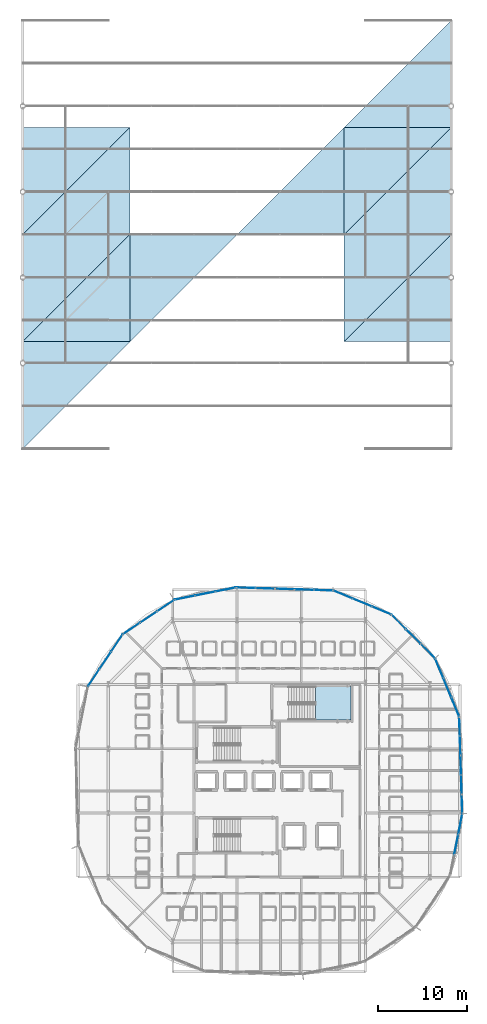
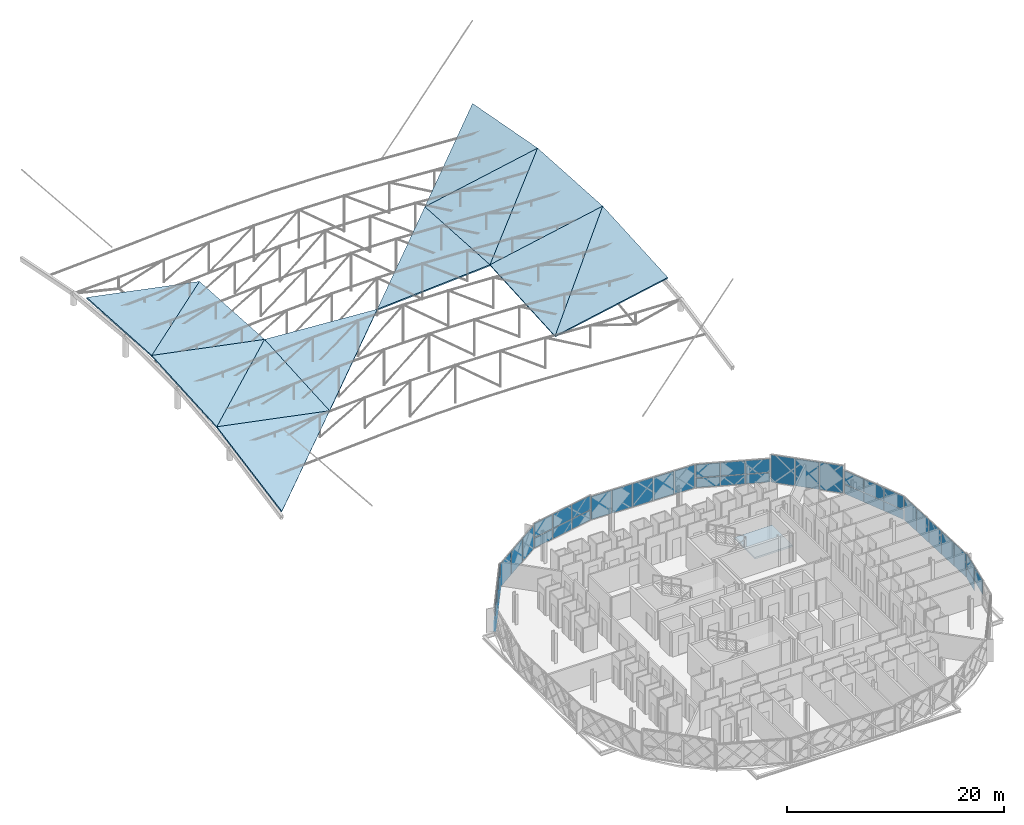
# One storey, part 36 of 50: 43 plates, 13 slabs, 10 elements without a shape of their own.
"""IFC4 building model written with IfcOpenShell, lengths in metres."""

from ifc_helpers import new_model, si_unit, direction, frame, origin, origin_2d, place, context, subcontext, project, spatial, polyline, rectangle, outline, extrude, material, layer, layer_set, type_object, element, aggregate, save


model = new_model("IFC4")

# Units and contexts
model_context = context("Model", 3, precision=1e-05, world=origin(), true_north=direction((0.0, 1.0)))
body_context = subcontext(model_context, "Body", "Model", "MODEL_VIEW")
ifc_project = project(units=[si_unit("LENGTHUNIT", "METRE"), si_unit("AREAUNIT", "SQUARE_METRE"), si_unit("VOLUMEUNIT", "CUBIC_METRE"), si_unit("PLANEANGLEUNIT", "RADIAN"), si_unit("MASSUNIT", "GRAM", prefix="KILO")], contexts=[model_context])

# Site, building, storey
site_placement = place(None, origin())
site = spatial("IfcSite", under=ifc_project, at=site_placement, CompositionType="ELEMENT")
building_placement = place(site_placement, origin())
building = spatial("IfcBuilding", under=site, at=building_placement, Name="Zevrakil Square Congress Hotel", CompositionType="ELEMENT")
storey_placement = place(building_placement, frame((0.0, 0.0, 21.5)))
storey = spatial("IfcBuildingStorey", under=building, at=storey_placement, Name="L06", CompositionType="ELEMENT", Elevation=21.5)

# Curtain wall, plate
ifc_material_1 = material(Name="Aluminium Anodised Bronze", Category="aluminium")
ifc_layer_1 = layer(ifc_material_1, 0.179931640625)
ifc_layer_set_1 = layer_set([ifc_layer_1], Name="Aluminium Anodised Bronze")
curtain_wall_type_1 = type_object("IfcCurtainWallType", Name="CW-L06-720", PredefinedType="USERDEFINED", material=ifc_layer_set_1)
curtain_wall_1_placement = place(storey_placement, origin())
curtain_wall_1 = element("IfcCurtainWall", 1, at=curtain_wall_1_placement, inside=storey, type_object=curtain_wall_type_1, Name="L06 diamond curtain wall CW-L06-0204", ObjectType="GLAZED CURTAIN WALL", PredefinedType="USERDEFINED")
ifc_material_2 = material(Name="Low-E Solar Control Double Glazing", Category="glass")
ifc_layer_2 = layer(ifc_material_2, 0.028076171875)
ifc_layer_set_2 = layer_set([ifc_layer_2], Name="Low-E Solar Control Double Glazing")
plate_type_1 = type_object("IfcPlateType", Name="CWP-GLAZ-28", PredefinedType="CURTAIN_PANEL", material=ifc_layer_set_2)
plate_1_placement = place(storey_placement, frame((166.62939453125, 22.735107421875, 1.23974609375), z_axis=(0.0, 0.0, 1.0), x_axis=(0.195083900459, 0.980786557708, 0.0)))
plate_1 = element("IfcPlate", 2, at=plate_1_placement, type_object=plate_type_1, Name="CW-70 panel 3.2", PredefinedType="CURTAIN_PANEL", context=body_context, shape_type="SweptSolid", body=[
    extrude(rectangle(XDim=2.2451171875, YDim=0.028076171875, at=origin_2d()), origin(), (0.0, 0.0, 1.0), 1.580322265625),
])

# Curtain wall, plates
ifc_material_3 = material(Name="Aluminium Anodised Bronze", Category="aluminium")
ifc_layer_3 = layer(ifc_material_3, 0.179931640625)
ifc_layer_set_3 = layer_set([ifc_layer_3], Name="Aluminium Anodised Bronze")
curtain_wall_type_2 = type_object("IfcCurtainWallType", Name="CW-L06-900", PredefinedType="USERDEFINED", material=ifc_layer_set_3)
curtain_wall_2_placement = place(storey_placement, origin())
curtain_wall_2 = element("IfcCurtainWall", 3, at=curtain_wall_2_placement, inside=storey, type_object=curtain_wall_type_2, Name="L06 diamond curtain wall CW-L06-0205", ObjectType="GLAZED CURTAIN WALL", PredefinedType="USERDEFINED")
plate_2_placement = place(storey_placement, frame((166.756591796875, 27.1689453125, 0.06005859375), z_axis=(0.0, 0.0, 1.0), x_axis=(-0.031598464383, 0.999500643846, 0.0)))
plate_2 = element("IfcPlate", 4, at=plate_2_placement, type_object=plate_type_1, Name="CW-72 panel 2.1", PredefinedType="CURTAIN_PANEL", context=body_context, shape_type="SweptSolid", body=[
    extrude(rectangle(XDim=2.12353515625, YDim=0.028076171875, at=origin_2d()), origin(), (0.0, 0.0, 1.0), 2.610107421875),
])
plate_3_placement = place(storey_placement, frame((166.550048828125, 33.701416015625, 0.06005859375), z_axis=(0.0, 0.0, 1.0), x_axis=(-0.031598464383, 0.999500643846, 0.0)))
plate_3 = element("IfcPlate", 5, at=plate_3_placement, type_object=plate_type_1, Name="CW-72 panel 5.1", PredefinedType="CURTAIN_PANEL", context=body_context, shape_type="SweptSolid", body=[
    extrude(rectangle(XDim=2.09375, YDim=0.028076171875, at=origin_2d()), origin(), (0.0, 0.0, 1.0), 2.610107421875),
])

curtain_wall_3_placement = place(storey_placement, origin())
curtain_wall_3 = element("IfcCurtainWall", 6, at=curtain_wall_3_placement, inside=storey, type_object=curtain_wall_type_1, Name="L06 diamond curtain wall CW-L06-0206", ObjectType="GLAZED CURTAIN WALL", PredefinedType="USERDEFINED")
plate_4_placement = place(storey_placement, frame((166.0625, 35.900390625, 0.06005859375), z_axis=(0.0, 0.0, 1.0), x_axis=(-0.382683763454, 0.92387939537, 0.0)))
plate_4 = element("IfcPlate", 7, at=plate_4_placement, type_object=plate_type_1, Name="CW-70 panel 1.1", PredefinedType="CURTAIN_PANEL", context=body_context, shape_type="SweptSolid", body=[
    extrude(rectangle(XDim=2.245361328125, YDim=0.028076171875, at=origin_2d()), origin(), (0.0, 0.0, 1.0), 1.056640625),
])
plate_5_placement = place(storey_placement, frame((165.174560546875, 38.0439453125, 1.1767578125), z_axis=(0.0, 0.0, 1.0), x_axis=(-0.382683763454, 0.92387939537, 0.0)))
plate_5 = element("IfcPlate", 8, at=plate_5_placement, type_object=plate_type_1, Name="CW-70 panel 2.2", PredefinedType="CURTAIN_PANEL", context=body_context, shape_type="SweptSolid", body=[
    extrude(rectangle(XDim=2.275146484375, YDim=0.028076171875, at=origin_2d()), origin(), (0.0, 0.0, 1.0), 1.493408203125),
])
plate_6_placement = place(storey_placement, frame((164.28662109375, 40.187744140625, 1.1767578125), z_axis=(0.0, 0.0, 1.0), x_axis=(-0.382683763454, 0.92387939537, 0.0)))
plate_6 = element("IfcPlate", 9, at=plate_6_placement, type_object=plate_type_1, Name="CW-70 panel 3.2", PredefinedType="CURTAIN_PANEL", context=body_context, shape_type="SweptSolid", body=[
    extrude(rectangle(XDim=2.245361328125, YDim=0.028076171875, at=origin_2d()), origin(), (0.0, 0.0, 1.0), 1.493408203125),
])

# Curtain wall, plate
curtain_wall_4_placement = place(storey_placement, origin())
curtain_wall_4 = element("IfcCurtainWall", 10, at=curtain_wall_4_placement, inside=storey, type_object=curtain_wall_type_1, Name="L06 diamond curtain wall CW-L06-0207", ObjectType="GLAZED CURTAIN WALL", PredefinedType="USERDEFINED")
plate_7_placement = place(storey_placement, frame((159.716552734375, 45.397705078125, 0.06005859375), z_axis=(0.0, 0.0, 1.0), x_axis=(-0.707106781187, 0.707106781187, 0.0)))
plate_7 = element("IfcPlate", 11, at=plate_7_placement, type_object=plate_type_1, Name="CW-70 panel 3.1", PredefinedType="CURTAIN_PANEL", context=body_context, shape_type="SweptSolid", body=[
    extrude(rectangle(XDim=2.2451171875, YDim=0.028076171875, at=origin_2d()), origin(), (0.0, 0.0, 1.0), 3.074951171875),
])

# Curtain wall, plates
curtain_wall_5_placement = place(storey_placement, origin())
curtain_wall_5 = element("IfcCurtainWall", 12, at=curtain_wall_5_placement, inside=storey, type_object=curtain_wall_type_1, Name="L06 diamond curtain wall CW-L06-0208", ObjectType="GLAZED CURTAIN WALL", PredefinedType="USERDEFINED")
plate_8_placement = place(storey_placement, frame((157.78759765625, 46.6865234375, 1.1767578125), z_axis=(0.0, 0.0, 1.0), x_axis=(-0.92387939537, 0.382683763454, 0.0)))
plate_8 = element("IfcPlate", 13, at=plate_8_placement, type_object=plate_type_1, Name="CW-70 panel 1.2", PredefinedType="CURTAIN_PANEL", context=body_context, shape_type="SweptSolid", body=[
    extrude(rectangle(XDim=2.245361328125, YDim=0.028076171875, at=origin_2d()), origin(), (0.0, 0.0, 1.0), 1.493408203125),
])
plate_9_placement = place(storey_placement, frame((155.64404296875, 47.574462890625, 1.1767578125), z_axis=(0.0, 0.0, 1.0), x_axis=(-0.92387939537, 0.382683763454, 0.0)))
plate_9 = element("IfcPlate", 14, at=plate_9_placement, type_object=plate_type_1, Name="CW-70 panel 2.2", PredefinedType="CURTAIN_PANEL", context=body_context, shape_type="SweptSolid", body=[
    extrude(rectangle(XDim=2.275146484375, YDim=0.028076171875, at=origin_2d()), origin(), (0.0, 0.0, 1.0), 1.493408203125),
])

curtain_wall_6_placement = place(storey_placement, origin())
curtain_wall_6 = element("IfcCurtainWall", 15, at=curtain_wall_6_placement, inside=storey, type_object=curtain_wall_type_2, Name="L06 diamond curtain wall CW-L06-0209", ObjectType="GLAZED CURTAIN WALL", PredefinedType="USERDEFINED")
plate_10_placement = place(storey_placement, frame((151.301513671875, 48.949951171875, 0.06005859375), z_axis=(0.0, 0.0, 1.0), x_axis=(-0.999500643846, 0.031598464383, 0.0)))
plate_10 = element("IfcPlate", 16, at=plate_10_placement, type_object=plate_type_1, Name="CW-72 panel 1.1", PredefinedType="CURTAIN_PANEL", context=body_context, shape_type="SweptSolid", body=[
    extrude(rectangle(XDim=2.09375, YDim=0.028076171875, at=origin_2d()), origin(), (0.0, 0.0, 1.0), 2.610107421875),
])
plate_11_placement = place(storey_placement, frame((146.951416015625, 49.08740234375, 0.06005859375), z_axis=(0.0, 0.0, 1.0), x_axis=(-0.999500643846, 0.031598464383, 0.0)))
plate_11 = element("IfcPlate", 17, at=plate_11_placement, type_object=plate_type_1, Name="CW-72 panel 3.1", PredefinedType="CURTAIN_PANEL", context=body_context, shape_type="SweptSolid", body=[
    extrude(rectangle(XDim=2.12353515625, YDim=0.028076171875, at=origin_2d()), origin(), (0.0, 0.0, 1.0), 2.610107421875),
])

curtain_wall_7_placement = place(storey_placement, origin())
curtain_wall_7 = element("IfcCurtainWall", 18, at=curtain_wall_7_placement, inside=storey, type_object=curtain_wall_type_1, Name="L06 diamond curtain wall CW-L06-0210", ObjectType="GLAZED CURTAIN WALL", PredefinedType="USERDEFINED")
plate_12_placement = place(storey_placement, frame((140.335205078125, 49.029296875, 1.23974609375), z_axis=(0.0, 0.0, 1.0), x_axis=(-0.980786557708, -0.195083900459, 0.0)))
plate_12 = element("IfcPlate", 19, at=plate_12_placement, type_object=plate_type_1, Name="CW-70 panel 1.2", PredefinedType="CURTAIN_PANEL", context=body_context, shape_type="SweptSolid", body=[
    extrude(rectangle(XDim=2.2451171875, YDim=0.028076171875, at=origin_2d()), origin(), (0.0, 0.0, 1.0), 1.580322265625),
])
plate_13_placement = place(storey_placement, frame((135.78369140625, 48.1240234375, 0.06005859375), z_axis=(0.0, 0.0, 1.0), x_axis=(-0.980786557708, -0.195083900459, 0.0)))
plate_13 = element("IfcPlate", 20, at=plate_13_placement, type_object=plate_type_1, Name="CW-70 panel 3.1", PredefinedType="CURTAIN_PANEL", context=body_context, shape_type="SweptSolid", body=[
    extrude(rectangle(XDim=2.2451171875, YDim=0.028076171875, at=origin_2d()), origin(), (0.0, 0.0, 1.0), 1.11962890625),
])

# Curtain wall, plate
curtain_wall_8_placement = place(storey_placement, origin())
curtain_wall_8 = element("IfcCurtainWall", 21, at=curtain_wall_8_placement, inside=storey, type_object=curtain_wall_type_1, Name="L06 diamond curtain wall CW-L06-0211", ObjectType="GLAZED CURTAIN WALL", PredefinedType="USERDEFINED")
plate_14_placement = place(storey_placement, frame((133.640625, 47.236328125, 0.06005859375), z_axis=(0.0, 0.0, 1.0), x_axis=(-0.831465693332, -0.555576098128, 0.0)))
plate_14 = element("IfcPlate", 22, at=plate_14_placement, type_object=plate_type_1, Name="CW-70 panel 1.1", PredefinedType="CURTAIN_PANEL", context=body_context, shape_type="SweptSolid", body=[
    extrude(rectangle(XDim=2.2451171875, YDim=0.028076171875, at=origin_2d()), origin(), (0.0, 0.0, 1.0), 2.610107421875),
])

# Curtain wall, plates
curtain_wall_9_placement = place(storey_placement, origin())
curtain_wall_9 = element("IfcCurtainWall", 23, at=curtain_wall_9_placement, inside=storey, type_object=curtain_wall_type_1, Name="L06 diamond curtain wall CW-L06-0212", ObjectType="GLAZED CURTAIN WALL", PredefinedType="USERDEFINED")
plate_15_placement = place(storey_placement, frame((126.852783203125, 41.088623046875, 0.06005859375), z_axis=(0.0, 0.0, 1.0), x_axis=(-0.555576098128, -0.831465693332, 0.0)))
plate_15 = element("IfcPlate", 24, at=plate_15_placement, type_object=plate_type_1, Name="CW-70 panel 2.1", PredefinedType="CURTAIN_PANEL", context=body_context, shape_type="SweptSolid", body=[
    extrude(rectangle(XDim=2.275146484375, YDim=0.028076171875, at=origin_2d()), origin(), (0.0, 0.0, 1.0), 1.056640625),
])
plate_16_placement = place(storey_placement, frame((125.563720703125, 39.159423828125, 0.06005859375), z_axis=(0.0, 0.0, 1.0), x_axis=(-0.555576098128, -0.831465693332, 0.0)))
plate_16 = element("IfcPlate", 25, at=plate_16_placement, type_object=plate_type_1, Name="CW-70 panel 3.1", PredefinedType="CURTAIN_PANEL", context=body_context, shape_type="SweptSolid", body=[
    extrude(rectangle(XDim=2.2451171875, YDim=0.028076171875, at=origin_2d()), origin(), (0.0, 0.0, 1.0), 1.056640625),
])

# Plate
ifc_material_4 = material(Name="Basalt Grey Ribbed GRC Panel", Category="masonry")
ifc_layer_4 = layer(ifc_material_4, 0.0439453125)
ifc_layer_set_4 = layer_set([ifc_layer_4], Name="Basalt Grey Ribbed GRC Panel")
plate_type_2 = type_object("IfcPlateType", Name="CWP-GRCG-44", PredefinedType="CURTAIN_PANEL", material=ifc_layer_set_4)
plate_17_placement = place(storey_placement, frame((166.62939453125, 22.735107421875, 0.06005859375), z_axis=(0.0, 0.0, 1.0), x_axis=(0.195083900459, 0.980786557708, 0.0)))
plate_17 = element("IfcPlate", 26, at=plate_17_placement, type_object=plate_type_2, Name="CW-70 panel 3.1", PredefinedType="CURTAIN_PANEL", context=body_context, shape_type="SweptSolid", body=[
    extrude(rectangle(XDim=2.2451171875, YDim=0.028076171875, at=origin_2d()), origin(), (0.0, 0.0, 1.0), 1.11962890625),
])

plate_18_placement = place(storey_placement, frame((166.618408203125, 31.533935546875, 0.06005859375), z_axis=(0.0, 0.0, 1.0), x_axis=(-0.031598464383, 0.999500643846, 0.0)))
plate_18 = element("IfcPlate", 27, at=plate_18_placement, type_object=plate_type_2, Name="CW-72 panel 4.1", PredefinedType="CURTAIN_PANEL", context=body_context, shape_type="SweptSolid", body=[
    extrude(rectangle(XDim=2.12353515625, YDim=0.028076171875, at=origin_2d()), origin(), (0.0, 0.0, 1.0), 2.610107421875),
])

plate_19_placement = place(storey_placement, frame((165.174560546875, 38.0439453125, 0.06005859375), z_axis=(0.0, 0.0, 1.0), x_axis=(-0.382683763454, 0.92387939537, 0.0)))
plate_19 = element("IfcPlate", 28, at=plate_19_placement, type_object=plate_type_2, Name="CW-70 panel 2.1", PredefinedType="CURTAIN_PANEL", context=body_context, shape_type="SweptSolid", body=[
    extrude(rectangle(XDim=2.275146484375, YDim=0.028076171875, at=origin_2d()), origin(), (0.0, 0.0, 1.0), 1.056640625),
])

plate_20_placement = place(storey_placement, frame((161.357177734375, 43.757080078125, 0.06005859375), z_axis=(0.0, 0.0, 1.0), x_axis=(-0.707106781187, 0.707106781187, 0.0)))
plate_20 = element("IfcPlate", 29, at=plate_20_placement, type_object=plate_type_2, Name="CW-70 panel 2.1", PredefinedType="CURTAIN_PANEL", context=body_context, shape_type="SweptSolid", body=[
    extrude(rectangle(XDim=2.275146484375, YDim=0.028076171875, at=origin_2d()), origin(), (0.0, 0.0, 1.0), 3.074951171875),
])

plate_21_placement = place(storey_placement, frame((157.78759765625, 46.6865234375, 0.06005859375), z_axis=(0.0, 0.0, 1.0), x_axis=(-0.92387939537, 0.382683763454, 0.0)))
plate_21 = element("IfcPlate", 30, at=plate_21_placement, type_object=plate_type_2, Name="CW-70 panel 1.1", PredefinedType="CURTAIN_PANEL", context=body_context, shape_type="SweptSolid", body=[
    extrude(rectangle(XDim=2.245361328125, YDim=0.028076171875, at=origin_2d()), origin(), (0.0, 0.0, 1.0), 1.056640625),
])

plate_22_placement = place(storey_placement, frame((153.50048828125, 48.46240234375, 1.1767578125), z_axis=(0.0, 0.0, 1.0), x_axis=(-0.92387939537, 0.382683763454, 0.0)))
plate_22 = element("IfcPlate", 31, at=plate_22_placement, type_object=plate_type_2, Name="CW-70 panel 3.2", PredefinedType="CURTAIN_PANEL", context=body_context, shape_type="SweptSolid", body=[
    extrude(rectangle(XDim=2.245361328125, YDim=0.028076171875, at=origin_2d()), origin(), (0.0, 0.0, 1.0), 1.493408203125),
])

plate_23_placement = place(storey_placement, frame((142.601318359375, 49.22509765625, 0.06005859375), z_axis=(0.0, 0.0, 1.0), x_axis=(-0.999500643846, 0.031598464383, 0.0)))
plate_23 = element("IfcPlate", 32, at=plate_23_placement, type_object=plate_type_2, Name="CW-72 panel 5.1", PredefinedType="CURTAIN_PANEL", context=body_context, shape_type="SweptSolid", body=[
    extrude(rectangle(XDim=2.09375, YDim=0.028076171875, at=origin_2d()), origin(), (0.0, 0.0, 1.0), 2.610107421875),
])

plate_24_placement = place(storey_placement, frame((138.0595703125, 48.57666015625, 1.23974609375), z_axis=(0.0, 0.0, 1.0), x_axis=(-0.980786557708, -0.195083900459, 0.0)))
plate_24 = element("IfcPlate", 33, at=plate_24_placement, type_object=plate_type_2, Name="CW-70 panel 2.2", PredefinedType="CURTAIN_PANEL", context=body_context, shape_type="SweptSolid", body=[
    extrude(rectangle(XDim=2.275146484375, YDim=0.028076171875, at=origin_2d()), origin(), (0.0, 0.0, 1.0), 1.580322265625),
])

plate_25_placement = place(storey_placement, frame((129.7822265625, 44.658203125, 0.06005859375), z_axis=(0.0, 0.0, 1.0), x_axis=(-0.831465693332, -0.555576098128, 0.0)))
plate_25 = element("IfcPlate", 34, at=plate_25_placement, type_object=plate_type_2, Name="CW-70 panel 3.1", PredefinedType="CURTAIN_PANEL", context=body_context, shape_type="SweptSolid", body=[
    extrude(rectangle(XDim=2.2451171875, YDim=0.028076171875, at=origin_2d()), origin(), (0.0, 0.0, 1.0), 2.610107421875),
])

plate_26_placement = place(storey_placement, frame((128.141845703125, 43.017822265625, 1.1767578125), z_axis=(0.0, 0.0, 1.0), x_axis=(-0.555576098128, -0.831465693332, 0.0)))
plate_26 = element("IfcPlate", 35, at=plate_26_placement, type_object=plate_type_2, Name="CW-70 panel 1.2", PredefinedType="CURTAIN_PANEL", context=body_context, shape_type="SweptSolid", body=[
    extrude(rectangle(XDim=2.2451171875, YDim=0.028076171875, at=origin_2d()), origin(), (0.0, 0.0, 1.0), 1.493408203125),
])

ifc_material_5 = material(Name="White Ribbed Highland GRC Panel", Category="concrete")
ifc_layer_5 = layer(ifc_material_5, 0.0400390625)
ifc_layer_set_5 = layer_set([ifc_layer_5], Name="White Ribbed Highland GRC Panel")
plate_type_3 = type_object("IfcPlateType", Name="CWP-GRCW-40", PredefinedType="CURTAIN_PANEL", material=ifc_layer_set_5)
plate_27_placement = place(storey_placement, frame((166.1767578125, 20.45947265625, 1.23974609375), z_axis=(0.0, 0.0, 1.0), x_axis=(0.195083900459, 0.980786557708, 0.0)))
plate_27 = element("IfcPlate", 36, at=plate_27_placement, type_object=plate_type_3, Name="CW-70 panel 2.2", PredefinedType="CURTAIN_PANEL", context=body_context, shape_type="SweptSolid", body=[
    extrude(rectangle(XDim=2.275146484375, YDim=0.028076171875, at=origin_2d()), origin(), (0.0, 0.0, 1.0), 1.580322265625),
])

aggregate(curtain_wall_1, [plate_27, plate_17, plate_1])

plate_28_placement = place(storey_placement, frame((166.824951171875, 25.001220703125, 0.06005859375), z_axis=(0.0, 0.0, 1.0), x_axis=(-0.031598464383, 0.999500643846, 0.0)))
plate_28 = element("IfcPlate", 37, at=plate_28_placement, type_object=plate_type_3, Name="CW-72 panel 1.1", PredefinedType="CURTAIN_PANEL", context=body_context, shape_type="SweptSolid", body=[
    extrude(rectangle(XDim=2.09375, YDim=0.028076171875, at=origin_2d()), origin(), (0.0, 0.0, 1.0), 2.610107421875),
])

plate_29_placement = place(storey_placement, frame((166.6875, 29.351318359375, 0.06005859375), z_axis=(0.0, 0.0, 1.0), x_axis=(-0.031598464383, 0.999500643846, 0.0)))
plate_29 = element("IfcPlate", 38, at=plate_29_placement, type_object=plate_type_3, Name="CW-72 panel 3.1", PredefinedType="CURTAIN_PANEL", context=body_context, shape_type="SweptSolid", body=[
    extrude(rectangle(XDim=2.12353515625, YDim=0.028076171875, at=origin_2d()), origin(), (0.0, 0.0, 1.0), 2.610107421875),
])

aggregate(curtain_wall_2, [plate_28, plate_2, plate_29, plate_18, plate_3])

plate_30_placement = place(storey_placement, frame((166.0625, 35.900390625, 1.1767578125), z_axis=(0.0, 0.0, 1.0), x_axis=(-0.382683763454, 0.92387939537, 0.0)))
plate_30 = element("IfcPlate", 39, at=plate_30_placement, type_object=plate_type_3, Name="CW-70 panel 1.2", PredefinedType="CURTAIN_PANEL", context=body_context, shape_type="SweptSolid", body=[
    extrude(rectangle(XDim=2.245361328125, YDim=0.028076171875, at=origin_2d()), origin(), (0.0, 0.0, 1.0), 1.493408203125),
])

plate_31_placement = place(storey_placement, frame((164.28662109375, 40.187744140625, 0.06005859375), z_axis=(0.0, 0.0, 1.0), x_axis=(-0.382683763454, 0.92387939537, 0.0)))
plate_31 = element("IfcPlate", 40, at=plate_31_placement, type_object=plate_type_3, Name="CW-70 panel 3.1", PredefinedType="CURTAIN_PANEL", context=body_context, shape_type="SweptSolid", body=[
    extrude(rectangle(XDim=2.245361328125, YDim=0.028076171875, at=origin_2d()), origin(), (0.0, 0.0, 1.0), 1.056640625),
])

aggregate(curtain_wall_3, [plate_4, plate_30, plate_19, plate_5, plate_31, plate_6])

plate_32_placement = place(storey_placement, frame((162.997802734375, 42.116455078125, 0.06005859375), z_axis=(0.0, 0.0, 1.0), x_axis=(-0.707106781187, 0.707106781187, 0.0)))
plate_32 = element("IfcPlate", 41, at=plate_32_placement, type_object=plate_type_3, Name="CW-70 panel 1.1", PredefinedType="CURTAIN_PANEL", context=body_context, shape_type="SweptSolid", body=[
    extrude(rectangle(XDim=2.2451171875, YDim=0.028076171875, at=origin_2d()), origin(), (0.0, 0.0, 1.0), 3.074951171875),
])

aggregate(curtain_wall_4, [plate_32, plate_20, plate_7])

plate_33_placement = place(storey_placement, frame((155.64404296875, 47.574462890625, 0.06005859375), z_axis=(0.0, 0.0, 1.0), x_axis=(-0.92387939537, 0.382683763454, 0.0)))
plate_33 = element("IfcPlate", 42, at=plate_33_placement, type_object=plate_type_3, Name="CW-70 panel 2.1", PredefinedType="CURTAIN_PANEL", context=body_context, shape_type="SweptSolid", body=[
    extrude(rectangle(XDim=2.275146484375, YDim=0.028076171875, at=origin_2d()), origin(), (0.0, 0.0, 1.0), 1.056640625),
])

plate_34_placement = place(storey_placement, frame((153.50048828125, 48.46240234375, 0.06005859375), z_axis=(0.0, 0.0, 1.0), x_axis=(-0.92387939537, 0.382683763454, 0.0)))
plate_34 = element("IfcPlate", 43, at=plate_34_placement, type_object=plate_type_3, Name="CW-70 panel 3.1", PredefinedType="CURTAIN_PANEL", context=body_context, shape_type="SweptSolid", body=[
    extrude(rectangle(XDim=2.245361328125, YDim=0.028076171875, at=origin_2d()), origin(), (0.0, 0.0, 1.0), 1.056640625),
])

aggregate(curtain_wall_5, [plate_21, plate_8, plate_33, plate_9, plate_34, plate_22])

plate_35_placement = place(storey_placement, frame((149.134033203125, 49.0185546875, 0.06005859375), z_axis=(0.0, 0.0, 1.0), x_axis=(-0.999500643846, 0.031598464383, 0.0)))
plate_35 = element("IfcPlate", 44, at=plate_35_placement, type_object=plate_type_3, Name="CW-72 panel 2.1", PredefinedType="CURTAIN_PANEL", context=body_context, shape_type="SweptSolid", body=[
    extrude(rectangle(XDim=2.12353515625, YDim=0.028076171875, at=origin_2d()), origin(), (0.0, 0.0, 1.0), 2.610107421875),
])

plate_36_placement = place(storey_placement, frame((144.768798828125, 49.156494140625, 0.06005859375), z_axis=(0.0, 0.0, 1.0), x_axis=(-0.999500643846, 0.031598464383, 0.0)))
plate_36 = element("IfcPlate", 45, at=plate_36_placement, type_object=plate_type_3, Name="CW-72 panel 4.1", PredefinedType="CURTAIN_PANEL", context=body_context, shape_type="SweptSolid", body=[
    extrude(rectangle(XDim=2.12353515625, YDim=0.028076171875, at=origin_2d()), origin(), (0.0, 0.0, 1.0), 2.610107421875),
])

aggregate(curtain_wall_6, [plate_10, plate_35, plate_11, plate_36, plate_23])

plate_37_placement = place(storey_placement, frame((140.335205078125, 49.029296875, 0.06005859375), z_axis=(0.0, 0.0, 1.0), x_axis=(-0.980786557708, -0.195083900459, 0.0)))
plate_37 = element("IfcPlate", 46, at=plate_37_placement, type_object=plate_type_3, Name="CW-70 panel 1.1", PredefinedType="CURTAIN_PANEL", context=body_context, shape_type="SweptSolid", body=[
    extrude(rectangle(XDim=2.2451171875, YDim=0.028076171875, at=origin_2d()), origin(), (0.0, 0.0, 1.0), 1.11962890625),
])

plate_38_placement = place(storey_placement, frame((138.0595703125, 48.57666015625, 0.06005859375), z_axis=(0.0, 0.0, 1.0), x_axis=(-0.980786557708, -0.195083900459, 0.0)))
plate_38 = element("IfcPlate", 47, at=plate_38_placement, type_object=plate_type_3, Name="CW-70 panel 2.1", PredefinedType="CURTAIN_PANEL", context=body_context, shape_type="SweptSolid", body=[
    extrude(rectangle(XDim=2.275146484375, YDim=0.028076171875, at=origin_2d()), origin(), (0.0, 0.0, 1.0), 1.11962890625),
])

plate_39_placement = place(storey_placement, frame((135.78369140625, 48.1240234375, 1.23974609375), z_axis=(0.0, 0.0, 1.0), x_axis=(-0.980786557708, -0.195083900459, 0.0)))
plate_39 = element("IfcPlate", 48, at=plate_39_placement, type_object=plate_type_3, Name="CW-70 panel 3.2", PredefinedType="CURTAIN_PANEL", context=body_context, shape_type="SweptSolid", body=[
    extrude(rectangle(XDim=2.2451171875, YDim=0.028076171875, at=origin_2d()), origin(), (0.0, 0.0, 1.0), 1.580322265625),
])

aggregate(curtain_wall_7, [plate_37, plate_12, plate_38, plate_24, plate_13, plate_39])

plate_40_placement = place(storey_placement, frame((131.71142578125, 45.947265625, 0.06005859375), z_axis=(0.0, 0.0, 1.0), x_axis=(-0.831465693332, -0.555576098128, 0.0)))
plate_40 = element("IfcPlate", 49, at=plate_40_placement, type_object=plate_type_3, Name="CW-70 panel 2.1", PredefinedType="CURTAIN_PANEL", context=body_context, shape_type="SweptSolid", body=[
    extrude(rectangle(XDim=2.275146484375, YDim=0.028076171875, at=origin_2d()), origin(), (0.0, 0.0, 1.0), 2.610107421875),
])

aggregate(curtain_wall_8, [plate_14, plate_40, plate_25])

plate_41_placement = place(storey_placement, frame((128.141845703125, 43.017822265625, 0.06005859375), z_axis=(0.0, 0.0, 1.0), x_axis=(-0.555576098128, -0.831465693332, 0.0)))
plate_41 = element("IfcPlate", 50, at=plate_41_placement, type_object=plate_type_3, Name="CW-70 panel 1.1", PredefinedType="CURTAIN_PANEL", context=body_context, shape_type="SweptSolid", body=[
    extrude(rectangle(XDim=2.2451171875, YDim=0.028076171875, at=origin_2d()), origin(), (0.0, 0.0, 1.0), 1.056640625),
])

plate_42_placement = place(storey_placement, frame((126.852783203125, 41.088623046875, 1.1767578125), z_axis=(0.0, 0.0, 1.0), x_axis=(-0.555576098128, -0.831465693332, 0.0)))
plate_42 = element("IfcPlate", 51, at=plate_42_placement, type_object=plate_type_3, Name="CW-70 panel 2.2", PredefinedType="CURTAIN_PANEL", context=body_context, shape_type="SweptSolid", body=[
    extrude(rectangle(XDim=2.275146484375, YDim=0.028076171875, at=origin_2d()), origin(), (0.0, 0.0, 1.0), 1.493408203125),
])

plate_43_placement = place(storey_placement, frame((125.563720703125, 39.159423828125, 1.1767578125), z_axis=(0.0, 0.0, 1.0), x_axis=(-0.555576098128, -0.831465693332, 0.0)))
plate_43 = element("IfcPlate", 52, at=plate_43_placement, type_object=plate_type_3, Name="CW-70 panel 3.2", PredefinedType="CURTAIN_PANEL", context=body_context, shape_type="SweptSolid", body=[
    extrude(rectangle(XDim=2.2451171875, YDim=0.028076171875, at=origin_2d()), origin(), (0.0, 0.0, 1.0), 1.493408203125),
])

aggregate(curtain_wall_9, [plate_41, plate_26, plate_15, plate_42, plate_16, plate_43])

# Slabs
ifc_material_6 = material(Name="Concrete C35/45", Category="concrete")
ifc_layer_6 = layer(ifc_material_6, 0.139892578125)
ifc_layer_set_6 = layer_set([ifc_layer_6], Name="Concrete C35/45")
slab_type_1 = type_object("IfcSlabType", Name="SLB-SADDLE-140", PredefinedType="ROOF", material=ifc_layer_set_6)
slab_1_placement = place(storey_placement, frame((117.60009765625, 64.800048828125, -0.06005859375), z_axis=(0.192875555251, -0.180828190965, 0.964417018483), x_axis=(0.707079197396, 0.707079197396, -0.008832735742)))
element("IfcSlab", 53, at=slab_1_placement, inside=storey, type_object=slab_type_1, Name="Congress hall anticlastic saddle roof facet 02", PredefinedType="ROOF", context=body_context, shape_type="SweptSolid", body=[
    extrude(outline(polyline([(0.0, 0.0), (16.9712247852847, 9.71445146547012e-17), (8.465076713327646, 8.798009788439543), (0.0, 0.0)])), origin(), (0.0, 0.0, -1.0), 0.139892578125),
])
slab_2_placement = place(storey_placement, frame((117.60009765625, 76.800048828125, 2.18994140625), z_axis=(0.195741202522, -0.061171614868, 0.978745837881), x_axis=(0.980582210276, 0.0, -0.196108462057)))
element("IfcSlab", 54, at=slab_2_placement, inside=storey, type_object=slab_type_1, Name="Congress hall anticlastic saddle roof facet 03", PredefinedType="ROOF", context=body_context, shape_type="SweptSolid", body=[
    extrude(outline(polyline([(0.0, 0.0), (12.237627681031023, 0.0), (12.090546334488467, 12.022515006332876), (0.0, 0.0)])), origin(), (0.0, 0.0, -1.0), 0.139892578125),
])
slab_3_placement = place(storey_placement, frame((117.60009765625, 76.800048828125, 2.18994140625), z_axis=(0.195741202522, -0.061171614868, 0.978745837881), x_axis=(0.703788497286, 0.703788497286, -0.096765190931)))
element("IfcSlab", 55, at=slab_3_placement, inside=storey, type_object=slab_type_1, Name="Congress hall anticlastic saddle roof facet 04", PredefinedType="ROOF", context=body_context, shape_type="SweptSolid", body=[
    extrude(outline(polyline([(0.0, 0.0), (17.05057705017375, 1.1102230246251565e-15), (8.372888074232815, 8.628861181892425), (0.0, 0.0)])), origin(), (0.0, 0.0, -1.0), 0.139892578125),
])
slab_4_placement = place(storey_placement, frame((117.60009765625, 88.800048828125, 2.93994140625), z_axis=(0.195741202522, 0.061171614868, 0.978745837881), x_axis=(0.980582210276, 0.0, -0.196108462057)))
element("IfcSlab", 56, at=slab_4_placement, inside=storey, type_object=slab_type_1, Name="Congress hall anticlastic saddle roof facet 05", PredefinedType="ROOF", context=body_context, shape_type="SweptSolid", body=[
    extrude(outline(polyline([(0.0, 0.0), (12.237627681031023, 0.0), (12.384709027573578, 12.022515006332878), (0.0, 0.0)])), origin(), (0.0, 0.0, -1.0), 0.139892578125),
])
slab_5_placement = place(storey_placement, frame((117.60009765625, 88.800048828125, 2.93994140625), z_axis=(0.195741202522, 0.061171614868, 0.978745837881), x_axis=(0.695232462817, 0.695232462817, -0.182492863673)))
element("IfcSlab", 57, at=slab_5_placement, inside=storey, type_object=slab_type_1, Name="Congress hall anticlastic saddle roof facet 06", PredefinedType="ROOF", context=body_context, shape_type="SweptSolid", body=[
    extrude(outline(polyline([(0.0, 0.0), (17.26041380660272, 1.1102230246251565e-16), (8.479659201555394, 8.523959163761694), (0.0, 0.0)])), origin(), (0.0, 0.0, -1.0), 0.139892578125),
])
slab_6_placement = place(storey_placement, frame((129.60009765625, 76.800048828125, -0.2099609375), z_axis=(0.066394075758, -0.062240647156, 0.995850354494), x_axis=(0.70710370617, 0.70710370617, -0.002949142655)))
element("IfcSlab", 58, at=slab_6_placement, inside=storey, type_object=slab_type_1, Name="Congress hall anticlastic saddle roof facet 12", PredefinedType="ROOF", context=body_context, shape_type="SweptSolid", body=[
    extrude(outline(polyline([(0.0, 0.0), (16.970636549204535, 9.003214840319629e-16), (8.483032617044307, 8.520601951632436), (0.0, 0.0)])), origin(), (0.0, 0.0, -1.0), 0.139892578125),
])
slab_7_placement = place(storey_placement, frame((141.60009765625, 88.800048828125, -0.260009765625), z_axis=(-0.066394075758, 0.062240647156, 0.995850354494), x_axis=(0.99778488838, 0.0, 0.066523052556)))
element("IfcSlab", 59, at=slab_7_placement, inside=storey, type_object=slab_type_1, Name="Congress hall anticlastic saddle roof facet 21", PredefinedType="ROOF", context=body_context, shape_type="SweptSolid", body=[
    extrude(outline(polyline([(0.0, 0.0), (12.026640350795569, 0.0), (11.976748061378762, 12.02331113959282), (0.0, 0.0)])), origin(), (0.0, 0.0, -1.0), 0.139892578125),
])
slab_8_placement = place(storey_placement, frame((153.60009765625, 76.800048828125, -0.2099609375), z_axis=(-0.195741202522, -0.061171614868, 0.978745837881), x_axis=(0.980582210276, 0.0, 0.196108462057)))
element("IfcSlab", 60, at=slab_8_placement, inside=storey, type_object=slab_type_1, Name="Congress hall anticlastic saddle roof facet 27", PredefinedType="ROOF", context=body_context, shape_type="SweptSolid", body=[
    extrude(outline(polyline([(0.0, 0.0), (12.237627681031023, 0.0), (12.384709027573578, 12.022515006332878), (0.0, 0.0)])), origin(), (0.0, 0.0, -1.0), 0.139892578125),
])
slab_9_placement = place(storey_placement, frame((153.60009765625, 76.800048828125, -0.2099609375), z_axis=(-0.195741202522, -0.061171614868, 0.978745837881), x_axis=(0.695232462817, 0.695232462817, 0.182492863673)))
element("IfcSlab", 61, at=slab_9_placement, inside=storey, type_object=slab_type_1, Name="Congress hall anticlastic saddle roof facet 28", PredefinedType="ROOF", context=body_context, shape_type="SweptSolid", body=[
    extrude(outline(polyline([(0.0, 0.0), (17.26041380660272, 1.1102230246251565e-16), (8.479659201555394, 8.523959163761694), (0.0, 0.0)])), origin(), (0.0, 0.0, -1.0), 0.139892578125),
])
slab_10_placement = place(storey_placement, frame((153.60009765625, 88.800048828125, 0.5400390625), z_axis=(-0.195741202522, 0.061171614868, 0.978745837881), x_axis=(0.980582210276, 0.0, 0.196108462057)))
element("IfcSlab", 62, at=slab_10_placement, inside=storey, type_object=slab_type_1, Name="Congress hall anticlastic saddle roof facet 29", PredefinedType="ROOF", context=body_context, shape_type="SweptSolid", body=[
    extrude(outline(polyline([(0.0, 0.0), (12.237627681031023, 0.0), (12.090546334488467, 12.022515006332876), (0.0, 0.0)])), origin(), (0.0, 0.0, -1.0), 0.139892578125),
])
slab_11_placement = place(storey_placement, frame((153.60009765625, 88.800048828125, 0.5400390625), z_axis=(-0.195741202522, 0.061171614868, 0.978745837881), x_axis=(0.703788497286, 0.703788497286, 0.096765190931)))
element("IfcSlab", 63, at=slab_11_placement, inside=storey, type_object=slab_type_1, Name="Congress hall anticlastic saddle roof facet 30", PredefinedType="ROOF", context=body_context, shape_type="SweptSolid", body=[
    extrude(outline(polyline([(0.0, 0.0), (17.05057705017375, 1.1102230246251565e-15), (8.372888074232815, 8.628861181892425), (0.0, 0.0)])), origin(), (0.0, 0.0, -1.0), 0.139892578125),
])
slab_12_placement = place(storey_placement, frame((153.60009765625, 100.800048828125, -0.2099609375), z_axis=(-0.192875555251, 0.180828190965, 0.964417018483), x_axis=(0.980582210276, 0.0, 0.196108462057)))
element("IfcSlab", 64, at=slab_12_placement, inside=storey, type_object=slab_type_1, Name="Congress hall anticlastic saddle roof facet 31", PredefinedType="ROOF", context=body_context, shape_type="SweptSolid", body=[
    extrude(outline(polyline([(0.0, 0.0), (12.237627681031023, -5.551115123125783e-17), (11.796383641403354, 12.201139442588675), (0.0, 0.0)])), origin(), (0.0, 0.0, -1.0), 0.139892578125),
])

# Stair, slab
ifc_material_7 = material(Name="Concrete C35/45", Category="concrete")
stair_type = type_object("IfcStairType", Name="STR-DOGLEG-180", PredefinedType="HALF_TURN_STAIR", material=ifc_material_7)
stair_placement = place(storey_placement, origin())
stair = element("IfcStair", 65, at=stair_placement, inside=storey, type_object=stair_type, Name="L06 Protected exit stair ST03", PredefinedType="HALF_TURN_STAIR")
ifc_material_8 = material(Name="Concrete C35/45", Category="concrete")
ifc_layer_7 = layer(ifc_material_8, 0.199951171875)
ifc_layer_set_7 = layer_set([ifc_layer_7], Name="Concrete C35/45")
slab_type_2 = type_object("IfcSlabType", Name="SLB-STAIR-LAND-200", PredefinedType="LANDING", material=ifc_layer_set_7)
slab_13_placement = place(storey_placement, frame((0.0, 0.0, 1.5)))
slab_13 = element("IfcSlab", 66, at=slab_13_placement, type_object=slab_type_2, Name="ST03 landing 1", PredefinedType="LANDING", context=body_context, shape_type="SweptSolid", body=[
    extrude(outline(polyline([(150.39990234375, 34.39990234375), (154.39990234375, 34.39990234375), (154.39990234375, 38.14990234375), (150.39990234375, 38.14990234375), (150.39990234375, 34.39990234375)])), origin(), (0.0, 0.0, 1.0), 0.199951171875),
])
aggregate(stair, [slab_13])

save(model, "model.ifc")
